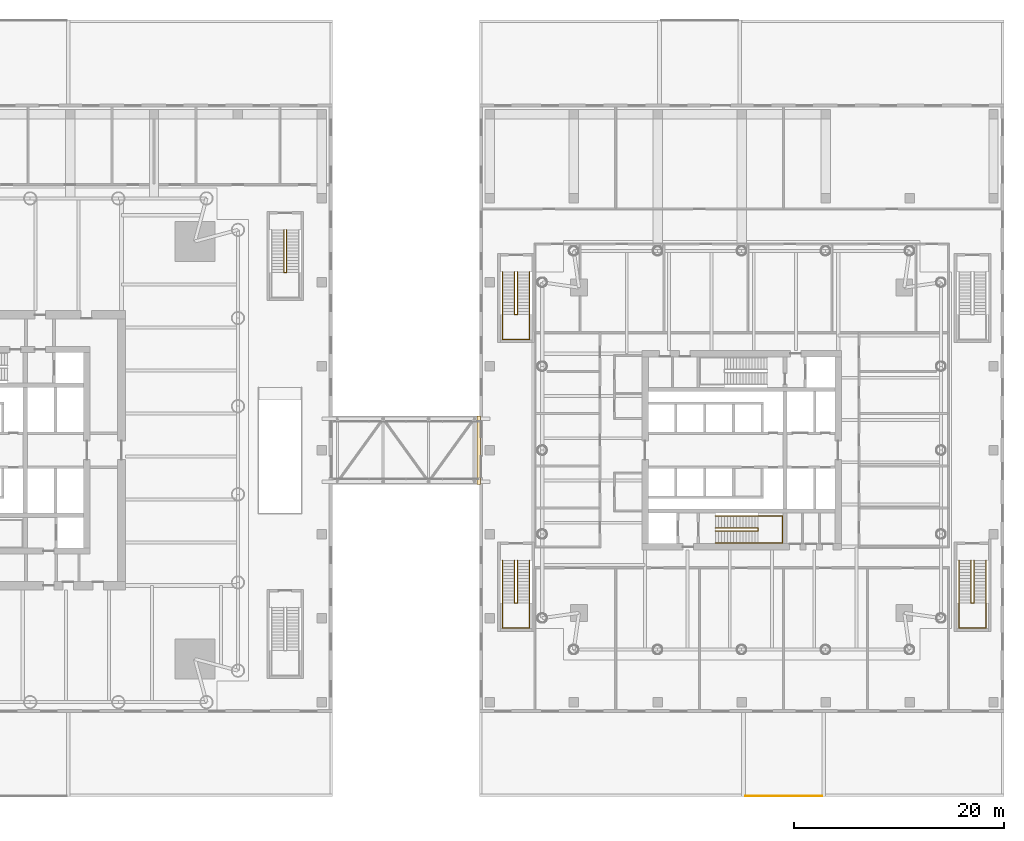
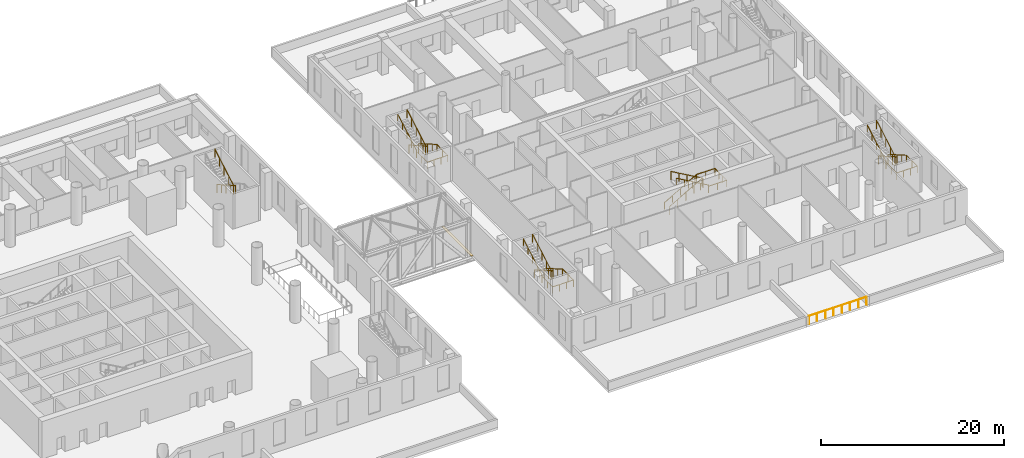
# One storey, part 22 of 23: 10 railings, 1 covering.
"""IFC4 building model written with IfcOpenShell, lengths in metres."""

from ifc_helpers import new_model, si_unit, direction, frame, origin, origin_2d, place, context, subcontext, project, spatial, polyline, circle, outline, extrude, material, layer, layer_set, type_object, element, save


model = new_model("IFC4")

# Units and contexts
model_context = context("Model", 3, precision=1e-05, world=origin(), true_north=direction((0.0, 1.0)))
body_context = subcontext(model_context, "Body", "Model", "MODEL_VIEW")
ifc_project = project(units=[si_unit("LENGTHUNIT", "METRE"), si_unit("AREAUNIT", "SQUARE_METRE"), si_unit("VOLUMEUNIT", "CUBIC_METRE"), si_unit("PLANEANGLEUNIT", "RADIAN"), si_unit("MASSUNIT", "GRAM", prefix="KILO")], contexts=[model_context])

# Site, building, storey
site_placement = place(None, origin())
site = spatial("IfcSite", under=ifc_project, at=site_placement, CompositionType="ELEMENT")
building_placement = place(site_placement, origin())
building = spatial("IfcBuilding", under=site, at=building_placement, Name="Ostroluk Exchange", CompositionType="ELEMENT")
storey_placement = place(building_placement, frame((0.0, 0.0, 11.0)))
storey = spatial("IfcBuildingStorey", under=building, at=storey_placement, Name="L02", CompositionType="ELEMENT", Elevation=11.0)

# Railing
ifc_material_1 = material(Name="Stainless steel", Category="steel")
railing_type_1 = type_object("IfcRailingType", Name="Guard 1100 stainless steel", PredefinedType="GUARDRAIL", material=ifc_material_1)
railing_1_placement = place(storey_placement, frame((124.64794921875, 13.050048828125, 0.0)))
element("IfcRailing", 1, at=railing_1_placement, inside=storey, type_object=railing_type_1, Name="Terrace guard L02 1.1", PredefinedType="GUARDRAIL", context=body_context, shape_type="SweptSolid", body=[
    extrude(circle(Radius=0.02392578125, at=origin_2d()), frame((0.0, 0.0, 1.076171875), z_axis=(-1.0, 0.0, 0.0), x_axis=(0.0, -1.0, 0.0)), (0.0, 0.0, 1.0), 7.2958984375),
    extrude(circle(Radius=0.02099609375, at=origin_2d()), origin(), (0.0, 0.0, 1.0), 1.052001953125),
    extrude(circle(Radius=0.02099609375, at=origin_2d()), frame((-1.042236328125, 0.0, 0.0)), (0.0, 0.0, 1.0), 1.052001953125),
    extrude(circle(Radius=0.02099609375, at=origin_2d()), frame((-2.08447265625, 0.0, 0.0)), (0.0, 0.0, 1.0), 1.052001953125),
    extrude(circle(Radius=0.02099609375, at=origin_2d()), frame((-3.126708984375, 0.0, 0.0)), (0.0, 0.0, 1.0), 1.052001953125),
    extrude(circle(Radius=0.02099609375, at=origin_2d()), frame((-4.169189453125, 0.0, 0.0)), (0.0, 0.0, 1.0), 1.052001953125),
    extrude(circle(Radius=0.02099609375, at=origin_2d()), frame((-5.21142578125, 0.0, 0.0)), (0.0, 0.0, 1.0), 1.052001953125),
    extrude(circle(Radius=0.02099609375, at=origin_2d()), frame((-6.253662109375, 0.0, 0.0)), (0.0, 0.0, 1.0), 1.052001953125),
    extrude(circle(Radius=0.02099609375, at=origin_2d()), frame((-7.2958984375, 0.0, 0.0)), (0.0, 0.0, 1.0), 1.052001953125),
])

# Covering
ifc_material_2 = material(Name="Stainless steel", Category="steel")
ifc_layer = layer(ifc_material_2, 0.011962890625)
ifc_layer_set = layer_set([ifc_layer], Name="Movement joint cover plate 100")
covering_type = type_object("IfcCoveringType", Name="Movement joint cover plate 100", PredefinedType="FLOORING", material=ifc_layer_set)
covering_placement = place(storey_placement, frame((0.0, 0.0, -0.011962890625)))
element("IfcCovering", 2, at=covering_placement, inside=storey, type_object=covering_type, Name="Podium bridge movement joint cover", PredefinedType="FLOORING", context=body_context, shape_type="SweptSolid", body=[
    extrude(outline(polyline([(91.800048828125, 42.75), (92.10009765625, 42.75), (92.10009765625, 49.25), (91.800048828125, 49.25), (91.800048828125, 42.75)])), origin(), (0.0, 0.0, 1.0), 0.011962890625),
])

# Railings
ifc_material_3 = material(Name="Steel S355", Category="steel")
railing_type_2 = type_object("IfcRailingType", Name="Stair guard 1100", PredefinedType="GUARDRAIL", material=ifc_material_3)
railing_2_placement = place(storey_placement, frame((114.5, 38.580078125, 0.166748046875)))
element("IfcRailing", 3, at=railing_2_placement, inside=storey, type_object=railing_type_2, Name="Stair T2-S1 guard L02", PredefinedType="GUARDRAIL", context=body_context, shape_type="SweptSolid", body=[
    extrude(circle(Radius=0.02392578125, at=origin_2d()), frame((0.0, 0.0, 1.076171875), z_axis=(0.867024558463, 0.0, 0.498265406207), x_axis=(0.0, 1.0, 0.0)), (0.0, 0.0, 1.0), 4.682861328125),
    extrude(circle(Radius=0.02392578125, at=origin_2d()), frame((4.06005859375, 0.0, 3.4091796875), z_axis=(0.0, -1.0, 0.0), x_axis=(1.0, 0.0, 0.0)), (0.0, 0.0, 1.0), 0.260009765625),
    extrude(circle(Radius=0.02392578125, at=origin_2d()), frame((4.06005859375, -0.260009765625, 3.4091796875), z_axis=(0.0, 0.0, 1.0), x_axis=(1.0, 0.0, 0.0)), (0.0, 0.0, 1.0), 0.166748046875),
    extrude(circle(Radius=0.02392578125, at=origin_2d()), frame((4.06005859375, -0.260009765625, 3.576171875), z_axis=(-0.867024558463, 0.0, 0.498265406207), x_axis=(0.0, -1.0, 0.0)), (0.0, 0.0, 1.0), 4.682861328125),
    extrude(circle(Radius=0.02099609375, at=origin_2d()), origin(), (0.0, 0.0, 1.0), 1.052001953125),
    extrude(circle(Radius=0.02099609375, at=origin_2d()), frame((1.01513671875, 0.0, 0.583251953125)), (0.0, 0.0, 1.0), 1.052001953125),
    extrude(circle(Radius=0.02099609375, at=origin_2d()), frame((2.030029296875, 0.0, 1.16650390625)), (0.0, 0.0, 1.0), 1.052001953125),
    extrude(circle(Radius=0.02099609375, at=origin_2d()), frame((3.044921875, 0.0, 1.75)), (0.0, 0.0, 1.0), 1.052001953125),
    extrude(circle(Radius=0.02099609375, at=origin_2d()), frame((4.06005859375, 0.0, 2.333251953125)), (0.0, 0.0, 1.0), 1.052001953125),
    extrude(circle(Radius=0.02099609375, at=origin_2d()), frame((4.06005859375, -0.260009765625, 2.333251953125)), (0.0, 0.0, 1.0), 1.052001953125),
    extrude(circle(Radius=0.02099609375, at=origin_2d()), frame((4.06005859375, -0.260009765625, 2.5)), (0.0, 0.0, 1.0), 1.052001953125),
    extrude(circle(Radius=0.02099609375, at=origin_2d()), frame((3.044921875, -0.260009765625, 3.083251953125)), (0.0, 0.0, 1.0), 1.052001953125),
    extrude(circle(Radius=0.02099609375, at=origin_2d()), frame((2.030029296875, -0.260009765625, 3.66650390625)), (0.0, 0.0, 1.0), 1.052001953125),
    extrude(circle(Radius=0.02099609375, at=origin_2d()), frame((1.01513671875, -0.260009765625, 4.25)), (0.0, 0.0, 1.0), 1.052001953125),
    extrude(circle(Radius=0.02099609375, at=origin_2d()), frame((0.0, -0.260009765625, 4.833251953125)), (0.0, 0.0, 1.0), 1.052001953125),
])
railing_3_placement = place(storey_placement, frame((73.6298828125, 67.0, 0.166748046875)))
element("IfcRailing", 4, at=railing_3_placement, inside=storey, type_object=railing_type_2, Name="Stair PS4 guard L02", PredefinedType="GUARDRAIL", context=body_context, shape_type="SweptSolid", body=[
    extrude(circle(Radius=0.02392578125, at=origin_2d()), frame((0.0, 0.0, 1.076171875), z_axis=(0.0, -0.867024558463, 0.498265406207), x_axis=(1.0, 0.0, 0.0)), (0.0, 0.0, 1.0), 4.682861328125),
    extrude(circle(Radius=0.02392578125, at=origin_2d()), frame((0.0, -4.06005859375, 3.4091796875), z_axis=(-1.0, 0.0, 0.0), x_axis=(0.0, -1.0, 0.0)), (0.0, 0.0, 1.0), 0.259765625),
    extrude(circle(Radius=0.02392578125, at=origin_2d()), frame((-0.259765625, -4.06005859375, 3.4091796875), z_axis=(0.0, 0.0, 1.0), x_axis=(1.0, 0.0, 0.0)), (0.0, 0.0, 1.0), 0.166748046875),
    extrude(circle(Radius=0.02392578125, at=origin_2d()), frame((-0.259765625, -4.06005859375, 3.576171875), z_axis=(0.0, 0.867024558463, 0.498265406207), x_axis=(-1.0, 0.0, 0.0)), (0.0, 0.0, 1.0), 4.682861328125),
    extrude(circle(Radius=0.02099609375, at=origin_2d()), origin(), (0.0, 0.0, 1.0), 1.052001953125),
    extrude(circle(Radius=0.02099609375, at=origin_2d()), frame((0.0, -1.01513671875, 0.583251953125)), (0.0, 0.0, 1.0), 1.052001953125),
    extrude(circle(Radius=0.02099609375, at=origin_2d()), frame((0.0, -2.030029296875, 1.16650390625)), (0.0, 0.0, 1.0), 1.052001953125),
    extrude(circle(Radius=0.02099609375, at=origin_2d()), frame((0.0, -3.044921875, 1.75)), (0.0, 0.0, 1.0), 1.052001953125),
    extrude(circle(Radius=0.02099609375, at=origin_2d()), frame((0.0, -4.06005859375, 2.333251953125)), (0.0, 0.0, 1.0), 1.052001953125),
    extrude(circle(Radius=0.02099609375, at=origin_2d()), frame((-0.259765625, -4.06005859375, 2.333251953125)), (0.0, 0.0, 1.0), 1.052001953125),
    extrude(circle(Radius=0.02099609375, at=origin_2d()), frame((-0.259765625, -4.06005859375, 2.5)), (0.0, 0.0, 1.0), 1.052001953125),
    extrude(circle(Radius=0.02099609375, at=origin_2d()), frame((-0.259765625, -3.044921875, 3.083251953125)), (0.0, 0.0, 1.0), 1.052001953125),
    extrude(circle(Radius=0.02099609375, at=origin_2d()), frame((-0.259765625, -2.030029296875, 3.66650390625)), (0.0, 0.0, 1.0), 1.052001953125),
    extrude(circle(Radius=0.02099609375, at=origin_2d()), frame((-0.259765625, -1.01513671875, 4.25)), (0.0, 0.0, 1.0), 1.052001953125),
    extrude(circle(Radius=0.02099609375, at=origin_2d()), frame((-0.259765625, 0.0, 4.833251953125)), (0.0, 0.0, 1.0), 1.052001953125),
])
railing_4_placement = place(storey_placement, frame((95.6298828125, 35.5, 0.166748046875)))
element("IfcRailing", 5, at=railing_4_placement, inside=storey, type_object=railing_type_2, Name="Stair PS5 guard L02", PredefinedType="GUARDRAIL", context=body_context, shape_type="SweptSolid", body=[
    extrude(circle(Radius=0.02392578125, at=origin_2d()), frame((0.0, 0.0, 1.076171875), z_axis=(0.0, -0.867024558463, 0.498265406207), x_axis=(1.0, 0.0, 0.0)), (0.0, 0.0, 1.0), 4.682861328125),
    extrude(circle(Radius=0.02392578125, at=origin_2d()), frame((0.0, -4.06005859375, 3.4091796875), z_axis=(-1.0, 0.0, 0.0), x_axis=(0.0, -1.0, 0.0)), (0.0, 0.0, 1.0), 0.259765625),
    extrude(circle(Radius=0.02392578125, at=origin_2d()), frame((-0.259765625, -4.06005859375, 3.4091796875), z_axis=(0.0, 0.0, 1.0), x_axis=(1.0, 0.0, 0.0)), (0.0, 0.0, 1.0), 0.166748046875),
    extrude(circle(Radius=0.02392578125, at=origin_2d()), frame((-0.259765625, -4.06005859375, 3.576171875), z_axis=(0.0, 0.867024558463, 0.498265406207), x_axis=(-1.0, 0.0, 0.0)), (0.0, 0.0, 1.0), 4.682861328125),
    extrude(circle(Radius=0.02099609375, at=origin_2d()), origin(), (0.0, 0.0, 1.0), 1.052001953125),
    extrude(circle(Radius=0.02099609375, at=origin_2d()), frame((0.0, -1.01513671875, 0.583251953125)), (0.0, 0.0, 1.0), 1.052001953125),
    extrude(circle(Radius=0.02099609375, at=origin_2d()), frame((0.0, -2.030029296875, 1.16650390625)), (0.0, 0.0, 1.0), 1.052001953125),
    extrude(circle(Radius=0.02099609375, at=origin_2d()), frame((0.0, -3.044921875, 1.75)), (0.0, 0.0, 1.0), 1.052001953125),
    extrude(circle(Radius=0.02099609375, at=origin_2d()), frame((0.0, -4.06005859375, 2.333251953125)), (0.0, 0.0, 1.0), 1.052001953125),
    extrude(circle(Radius=0.02099609375, at=origin_2d()), frame((-0.259765625, -4.06005859375, 2.333251953125)), (0.0, 0.0, 1.0), 1.052001953125),
    extrude(circle(Radius=0.02099609375, at=origin_2d()), frame((-0.259765625, -4.06005859375, 2.5)), (0.0, 0.0, 1.0), 1.052001953125),
    extrude(circle(Radius=0.02099609375, at=origin_2d()), frame((-0.259765625, -3.044921875, 3.083251953125)), (0.0, 0.0, 1.0), 1.052001953125),
    extrude(circle(Radius=0.02099609375, at=origin_2d()), frame((-0.259765625, -2.030029296875, 3.66650390625)), (0.0, 0.0, 1.0), 1.052001953125),
    extrude(circle(Radius=0.02099609375, at=origin_2d()), frame((-0.259765625, -1.01513671875, 4.25)), (0.0, 0.0, 1.0), 1.052001953125),
    extrude(circle(Radius=0.02099609375, at=origin_2d()), frame((-0.259765625, 0.0, 4.833251953125)), (0.0, 0.0, 1.0), 1.052001953125),
])
railing_5_placement = place(storey_placement, frame((95.6298828125, 63.0, 0.166748046875)))
element("IfcRailing", 6, at=railing_5_placement, inside=storey, type_object=railing_type_2, Name="Stair PS6 guard L02", PredefinedType="GUARDRAIL", context=body_context, shape_type="SweptSolid", body=[
    extrude(circle(Radius=0.02392578125, at=origin_2d()), frame((0.0, 0.0, 1.076171875), z_axis=(0.0, -0.867024558463, 0.498265406207), x_axis=(1.0, 0.0, 0.0)), (0.0, 0.0, 1.0), 4.682861328125),
    extrude(circle(Radius=0.02392578125, at=origin_2d()), frame((0.0, -4.06005859375, 3.4091796875), z_axis=(-1.0, 0.0, 0.0), x_axis=(0.0, -1.0, 0.0)), (0.0, 0.0, 1.0), 0.259765625),
    extrude(circle(Radius=0.02392578125, at=origin_2d()), frame((-0.259765625, -4.06005859375, 3.4091796875), z_axis=(0.0, 0.0, 1.0), x_axis=(1.0, 0.0, 0.0)), (0.0, 0.0, 1.0), 0.166748046875),
    extrude(circle(Radius=0.02392578125, at=origin_2d()), frame((-0.259765625, -4.06005859375, 3.576171875), z_axis=(0.0, 0.867024558463, 0.498265406207), x_axis=(-1.0, 0.0, 0.0)), (0.0, 0.0, 1.0), 4.682861328125),
    extrude(circle(Radius=0.02099609375, at=origin_2d()), origin(), (0.0, 0.0, 1.0), 1.052001953125),
    extrude(circle(Radius=0.02099609375, at=origin_2d()), frame((0.0, -1.01513671875, 0.583251953125)), (0.0, 0.0, 1.0), 1.052001953125),
    extrude(circle(Radius=0.02099609375, at=origin_2d()), frame((0.0, -2.030029296875, 1.16650390625)), (0.0, 0.0, 1.0), 1.052001953125),
    extrude(circle(Radius=0.02099609375, at=origin_2d()), frame((0.0, -3.044921875, 1.75)), (0.0, 0.0, 1.0), 1.052001953125),
    extrude(circle(Radius=0.02099609375, at=origin_2d()), frame((0.0, -4.06005859375, 2.333251953125)), (0.0, 0.0, 1.0), 1.052001953125),
    extrude(circle(Radius=0.02099609375, at=origin_2d()), frame((-0.259765625, -4.06005859375, 2.333251953125)), (0.0, 0.0, 1.0), 1.052001953125),
    extrude(circle(Radius=0.02099609375, at=origin_2d()), frame((-0.259765625, -4.06005859375, 2.5)), (0.0, 0.0, 1.0), 1.052001953125),
    extrude(circle(Radius=0.02099609375, at=origin_2d()), frame((-0.259765625, -3.044921875, 3.083251953125)), (0.0, 0.0, 1.0), 1.052001953125),
    extrude(circle(Radius=0.02099609375, at=origin_2d()), frame((-0.259765625, -2.030029296875, 3.66650390625)), (0.0, 0.0, 1.0), 1.052001953125),
    extrude(circle(Radius=0.02099609375, at=origin_2d()), frame((-0.259765625, -1.01513671875, 4.25)), (0.0, 0.0, 1.0), 1.052001953125),
    extrude(circle(Radius=0.02099609375, at=origin_2d()), frame((-0.259765625, 0.0, 4.833251953125)), (0.0, 0.0, 1.0), 1.052001953125),
])
railing_6_placement = place(storey_placement, frame((139.1298828125, 35.5, 0.166748046875)))
element("IfcRailing", 7, at=railing_6_placement, inside=storey, type_object=railing_type_2, Name="Stair PS7 guard L02", PredefinedType="GUARDRAIL", context=body_context, shape_type="SweptSolid", body=[
    extrude(circle(Radius=0.02392578125, at=origin_2d()), frame((0.0, 0.0, 1.076171875), z_axis=(0.0, -0.867024558463, 0.498265406207), x_axis=(1.0, 0.0, 0.0)), (0.0, 0.0, 1.0), 4.682861328125),
    extrude(circle(Radius=0.02392578125, at=origin_2d()), frame((0.0, -4.06005859375, 3.4091796875), z_axis=(-1.0, 0.0, 0.0), x_axis=(0.0, -1.0, 0.0)), (0.0, 0.0, 1.0), 0.259765625),
    extrude(circle(Radius=0.02392578125, at=origin_2d()), frame((-0.259765625, -4.06005859375, 3.4091796875), z_axis=(0.0, 0.0, 1.0), x_axis=(1.0, 0.0, 0.0)), (0.0, 0.0, 1.0), 0.166748046875),
    extrude(circle(Radius=0.02392578125, at=origin_2d()), frame((-0.259765625, -4.06005859375, 3.576171875), z_axis=(0.0, 0.867024558463, 0.498265406207), x_axis=(-1.0, 0.0, 0.0)), (0.0, 0.0, 1.0), 4.682861328125),
    extrude(circle(Radius=0.02099609375, at=origin_2d()), origin(), (0.0, 0.0, 1.0), 1.052001953125),
    extrude(circle(Radius=0.02099609375, at=origin_2d()), frame((0.0, -1.01513671875, 0.583251953125)), (0.0, 0.0, 1.0), 1.052001953125),
    extrude(circle(Radius=0.02099609375, at=origin_2d()), frame((0.0, -2.030029296875, 1.16650390625)), (0.0, 0.0, 1.0), 1.052001953125),
    extrude(circle(Radius=0.02099609375, at=origin_2d()), frame((0.0, -3.044921875, 1.75)), (0.0, 0.0, 1.0), 1.052001953125),
    extrude(circle(Radius=0.02099609375, at=origin_2d()), frame((0.0, -4.06005859375, 2.333251953125)), (0.0, 0.0, 1.0), 1.052001953125),
    extrude(circle(Radius=0.02099609375, at=origin_2d()), frame((-0.259765625, -4.06005859375, 2.333251953125)), (0.0, 0.0, 1.0), 1.052001953125),
    extrude(circle(Radius=0.02099609375, at=origin_2d()), frame((-0.259765625, -4.06005859375, 2.5)), (0.0, 0.0, 1.0), 1.052001953125),
    extrude(circle(Radius=0.02099609375, at=origin_2d()), frame((-0.259765625, -3.044921875, 3.083251953125)), (0.0, 0.0, 1.0), 1.052001953125),
    extrude(circle(Radius=0.02099609375, at=origin_2d()), frame((-0.259765625, -2.030029296875, 3.66650390625)), (0.0, 0.0, 1.0), 1.052001953125),
    extrude(circle(Radius=0.02099609375, at=origin_2d()), frame((-0.259765625, -1.01513671875, 4.25)), (0.0, 0.0, 1.0), 1.052001953125),
    extrude(circle(Radius=0.02099609375, at=origin_2d()), frame((-0.259765625, 0.0, 4.833251953125)), (0.0, 0.0, 1.0), 1.052001953125),
])
ifc_material_4 = material(Name="Stainless steel", Category="steel")
railing_type_3 = type_object("IfcRailingType", Name="Stair handrail 900", PredefinedType="HANDRAIL", material=ifc_material_4)
railing_7_placement = place(storey_placement, frame((114.5, 39.75, 0.166748046875)))
element("IfcRailing", 8, at=railing_7_placement, inside=storey, type_object=railing_type_3, Name="Stair T2-S1 handrail L02", PredefinedType="HANDRAIL", context=body_context, shape_type="SweptSolid", body=[
    extrude(circle(Radius=0.02392578125, at=origin_2d()), frame((0.0, 0.0, 0.8759765625), z_axis=(0.867024558463, 0.0, 0.498265406207), x_axis=(0.0, 1.0, 0.0)), (0.0, 0.0, 1.0), 4.682861328125),
    extrude(circle(Radius=0.02392578125, at=origin_2d()), frame((4.06005859375, 0.0, 3.208984375), z_axis=(1.0, 0.0, 0.0), x_axis=(0.0, 1.0, 0.0)), (0.0, 0.0, 1.0), 2.31982421875),
    extrude(circle(Radius=0.02392578125, at=origin_2d()), frame((6.3798828125, 0.0, 3.208984375), z_axis=(0.0, -1.0, 0.0), x_axis=(1.0, 0.0, 0.0)), (0.0, 0.0, 1.0), 2.60009765625),
    extrude(circle(Radius=0.02392578125, at=origin_2d()), frame((6.3798828125, -2.60009765625, 3.208984375), z_axis=(-1.0, 0.0, 0.0), x_axis=(0.0, -1.0, 0.0)), (0.0, 0.0, 1.0), 2.31982421875),
    extrude(circle(Radius=0.02392578125, at=origin_2d()), frame((4.06005859375, -2.60009765625, 3.208984375), z_axis=(0.0, 0.0, 1.0), x_axis=(1.0, 0.0, 0.0)), (0.0, 0.0, 1.0), 0.166748046875),
    extrude(circle(Radius=0.02392578125, at=origin_2d()), frame((4.06005859375, -2.60009765625, 3.3759765625), z_axis=(-0.867024558463, 0.0, 0.498265406207), x_axis=(0.0, -1.0, 0.0)), (0.0, 0.0, 1.0), 4.682861328125),
    extrude(circle(Radius=0.02099609375, at=origin_2d()), origin(), (0.0, 0.0, 1.0), 0.851806640625),
    extrude(circle(Radius=0.02099609375, at=origin_2d()), frame((1.01513671875, 0.0, 0.583251953125)), (0.0, 0.0, 1.0), 0.851806640625),
    extrude(circle(Radius=0.02099609375, at=origin_2d()), frame((2.030029296875, 0.0, 1.16650390625)), (0.0, 0.0, 1.0), 0.851806640625),
    extrude(circle(Radius=0.02099609375, at=origin_2d()), frame((3.044921875, 0.0, 1.75)), (0.0, 0.0, 1.0), 0.851806640625),
    extrude(circle(Radius=0.02099609375, at=origin_2d()), frame((4.06005859375, 0.0, 2.333251953125)), (0.0, 0.0, 1.0), 0.851806640625),
    extrude(circle(Radius=0.02099609375, at=origin_2d()), frame((5.219970703125, 0.0, 2.333251953125)), (0.0, 0.0, 1.0), 0.851806640625),
    extrude(circle(Radius=0.02099609375, at=origin_2d()), frame((6.3798828125, 0.0, 2.333251953125)), (0.0, 0.0, 1.0), 0.851806640625),
    extrude(circle(Radius=0.02099609375, at=origin_2d()), frame((6.3798828125, -0.86669921875, 2.333251953125)), (0.0, 0.0, 1.0), 0.851806640625),
    extrude(circle(Radius=0.02099609375, at=origin_2d()), frame((6.3798828125, -1.7333984375, 2.333251953125)), (0.0, 0.0, 1.0), 0.851806640625),
    extrude(circle(Radius=0.02099609375, at=origin_2d()), frame((6.3798828125, -2.60009765625, 2.333251953125)), (0.0, 0.0, 1.0), 0.851806640625),
    extrude(circle(Radius=0.02099609375, at=origin_2d()), frame((5.219970703125, -2.60009765625, 2.333251953125)), (0.0, 0.0, 1.0), 0.851806640625),
    extrude(circle(Radius=0.02099609375, at=origin_2d()), frame((4.06005859375, -2.60009765625, 2.333251953125)), (0.0, 0.0, 1.0), 0.851806640625),
    extrude(circle(Radius=0.02099609375, at=origin_2d()), frame((4.06005859375, -2.60009765625, 2.5)), (0.0, 0.0, 1.0), 0.851806640625),
    extrude(circle(Radius=0.02099609375, at=origin_2d()), frame((3.044921875, -2.60009765625, 3.083251953125)), (0.0, 0.0, 1.0), 0.851806640625),
    extrude(circle(Radius=0.02099609375, at=origin_2d()), frame((2.030029296875, -2.60009765625, 3.66650390625)), (0.0, 0.0, 1.0), 0.851806640625),
    extrude(circle(Radius=0.02099609375, at=origin_2d()), frame((1.01513671875, -2.60009765625, 4.25)), (0.0, 0.0, 1.0), 0.851806640625),
    extrude(circle(Radius=0.02099609375, at=origin_2d()), frame((0.0, -2.60009765625, 4.833251953125)), (0.0, 0.0, 1.0), 0.851806640625),
])
railing_8_placement = place(storey_placement, frame((96.800048828125, 35.5, 0.166748046875)))
element("IfcRailing", 9, at=railing_8_placement, inside=storey, type_object=railing_type_3, Name="Stair PS5 handrail L02", PredefinedType="HANDRAIL", context=body_context, shape_type="SweptSolid", body=[
    extrude(circle(Radius=0.02392578125, at=origin_2d()), frame((0.0, 0.0, 0.8759765625), z_axis=(0.0, -0.867024558463, 0.498265406207), x_axis=(1.0, 0.0, 0.0)), (0.0, 0.0, 1.0), 4.682861328125),
    extrude(circle(Radius=0.02392578125, at=origin_2d()), frame((0.0, -4.06005859375, 3.208984375), z_axis=(0.0, -1.0, 0.0), x_axis=(1.0, 0.0, 0.0)), (0.0, 0.0, 1.0), 2.389892578125),
    extrude(circle(Radius=0.02392578125, at=origin_2d()), frame((0.0, -6.449951171875, 3.208984375), z_axis=(-1.0, 0.0, 0.0), x_axis=(0.0, -1.0, 0.0)), (0.0, 0.0, 1.0), 2.60009765625),
    extrude(circle(Radius=0.02392578125, at=origin_2d()), frame((-2.60009765625, -6.449951171875, 3.208984375), z_axis=(0.0, 1.0, 0.0), x_axis=(-1.0, 0.0, 0.0)), (0.0, 0.0, 1.0), 2.389892578125),
    extrude(circle(Radius=0.02392578125, at=origin_2d()), frame((-2.60009765625, -4.06005859375, 3.208984375), z_axis=(0.0, 0.0, 1.0), x_axis=(1.0, 0.0, 0.0)), (0.0, 0.0, 1.0), 0.166748046875),
    extrude(circle(Radius=0.02392578125, at=origin_2d()), frame((-2.60009765625, -4.06005859375, 3.3759765625), z_axis=(0.0, 0.867024558463, 0.498265406207), x_axis=(-1.0, 0.0, 0.0)), (0.0, 0.0, 1.0), 4.682861328125),
    extrude(circle(Radius=0.02099609375, at=origin_2d()), origin(), (0.0, 0.0, 1.0), 0.851806640625),
    extrude(circle(Radius=0.02099609375, at=origin_2d()), frame((0.0, -1.01513671875, 0.583251953125)), (0.0, 0.0, 1.0), 0.851806640625),
    extrude(circle(Radius=0.02099609375, at=origin_2d()), frame((0.0, -2.030029296875, 1.16650390625)), (0.0, 0.0, 1.0), 0.851806640625),
    extrude(circle(Radius=0.02099609375, at=origin_2d()), frame((0.0, -3.044921875, 1.75)), (0.0, 0.0, 1.0), 0.851806640625),
    extrude(circle(Radius=0.02099609375, at=origin_2d()), frame((0.0, -4.06005859375, 2.333251953125)), (0.0, 0.0, 1.0), 0.851806640625),
    extrude(circle(Radius=0.02099609375, at=origin_2d()), frame((0.0, -5.2548828125, 2.333251953125)), (0.0, 0.0, 1.0), 0.851806640625),
    extrude(circle(Radius=0.02099609375, at=origin_2d()), frame((0.0, -6.449951171875, 2.333251953125)), (0.0, 0.0, 1.0), 0.851806640625),
    extrude(circle(Radius=0.02099609375, at=origin_2d()), frame((-0.86669921875, -6.449951171875, 2.333251953125)), (0.0, 0.0, 1.0), 0.851806640625),
    extrude(circle(Radius=0.02099609375, at=origin_2d()), frame((-1.7333984375, -6.449951171875, 2.333251953125)), (0.0, 0.0, 1.0), 0.851806640625),
    extrude(circle(Radius=0.02099609375, at=origin_2d()), frame((-2.60009765625, -6.449951171875, 2.333251953125)), (0.0, 0.0, 1.0), 0.851806640625),
    extrude(circle(Radius=0.02099609375, at=origin_2d()), frame((-2.60009765625, -5.2548828125, 2.333251953125)), (0.0, 0.0, 1.0), 0.851806640625),
    extrude(circle(Radius=0.02099609375, at=origin_2d()), frame((-2.60009765625, -4.06005859375, 2.333251953125)), (0.0, 0.0, 1.0), 0.851806640625),
    extrude(circle(Radius=0.02099609375, at=origin_2d()), frame((-2.60009765625, -4.06005859375, 2.5)), (0.0, 0.0, 1.0), 0.851806640625),
    extrude(circle(Radius=0.02099609375, at=origin_2d()), frame((-2.60009765625, -3.044921875, 3.083251953125)), (0.0, 0.0, 1.0), 0.851806640625),
    extrude(circle(Radius=0.02099609375, at=origin_2d()), frame((-2.60009765625, -2.030029296875, 3.66650390625)), (0.0, 0.0, 1.0), 0.851806640625),
    extrude(circle(Radius=0.02099609375, at=origin_2d()), frame((-2.60009765625, -1.01513671875, 4.25)), (0.0, 0.0, 1.0), 0.851806640625),
    extrude(circle(Radius=0.02099609375, at=origin_2d()), frame((-2.60009765625, 0.0, 4.833251953125)), (0.0, 0.0, 1.0), 0.851806640625),
])
railing_9_placement = place(storey_placement, frame((96.800048828125, 63.0, 0.166748046875)))
element("IfcRailing", 10, at=railing_9_placement, inside=storey, type_object=railing_type_3, Name="Stair PS6 handrail L02", PredefinedType="HANDRAIL", context=body_context, shape_type="SweptSolid", body=[
    extrude(circle(Radius=0.02392578125, at=origin_2d()), frame((0.0, 0.0, 0.8759765625), z_axis=(0.0, -0.867024558463, 0.498265406207), x_axis=(1.0, 0.0, 0.0)), (0.0, 0.0, 1.0), 4.682861328125),
    extrude(circle(Radius=0.02392578125, at=origin_2d()), frame((0.0, -4.06005859375, 3.208984375), z_axis=(0.0, -1.0, 0.0), x_axis=(1.0, 0.0, 0.0)), (0.0, 0.0, 1.0), 2.389892578125),
    extrude(circle(Radius=0.02392578125, at=origin_2d()), frame((0.0, -6.449951171875, 3.208984375), z_axis=(-1.0, 0.0, 0.0), x_axis=(0.0, -1.0, 0.0)), (0.0, 0.0, 1.0), 2.60009765625),
    extrude(circle(Radius=0.02392578125, at=origin_2d()), frame((-2.60009765625, -6.449951171875, 3.208984375), z_axis=(0.0, 1.0, 0.0), x_axis=(-1.0, 0.0, 0.0)), (0.0, 0.0, 1.0), 2.389892578125),
    extrude(circle(Radius=0.02392578125, at=origin_2d()), frame((-2.60009765625, -4.06005859375, 3.208984375), z_axis=(0.0, 0.0, 1.0), x_axis=(1.0, 0.0, 0.0)), (0.0, 0.0, 1.0), 0.166748046875),
    extrude(circle(Radius=0.02392578125, at=origin_2d()), frame((-2.60009765625, -4.06005859375, 3.3759765625), z_axis=(0.0, 0.867024558463, 0.498265406207), x_axis=(-1.0, 0.0, 0.0)), (0.0, 0.0, 1.0), 4.682861328125),
    extrude(circle(Radius=0.02099609375, at=origin_2d()), origin(), (0.0, 0.0, 1.0), 0.851806640625),
    extrude(circle(Radius=0.02099609375, at=origin_2d()), frame((0.0, -1.01513671875, 0.583251953125)), (0.0, 0.0, 1.0), 0.851806640625),
    extrude(circle(Radius=0.02099609375, at=origin_2d()), frame((0.0, -2.030029296875, 1.16650390625)), (0.0, 0.0, 1.0), 0.851806640625),
    extrude(circle(Radius=0.02099609375, at=origin_2d()), frame((0.0, -3.044921875, 1.75)), (0.0, 0.0, 1.0), 0.851806640625),
    extrude(circle(Radius=0.02099609375, at=origin_2d()), frame((0.0, -4.06005859375, 2.333251953125)), (0.0, 0.0, 1.0), 0.851806640625),
    extrude(circle(Radius=0.02099609375, at=origin_2d()), frame((0.0, -5.2548828125, 2.333251953125)), (0.0, 0.0, 1.0), 0.851806640625),
    extrude(circle(Radius=0.02099609375, at=origin_2d()), frame((0.0, -6.449951171875, 2.333251953125)), (0.0, 0.0, 1.0), 0.851806640625),
    extrude(circle(Radius=0.02099609375, at=origin_2d()), frame((-0.86669921875, -6.449951171875, 2.333251953125)), (0.0, 0.0, 1.0), 0.851806640625),
    extrude(circle(Radius=0.02099609375, at=origin_2d()), frame((-1.7333984375, -6.449951171875, 2.333251953125)), (0.0, 0.0, 1.0), 0.851806640625),
    extrude(circle(Radius=0.02099609375, at=origin_2d()), frame((-2.60009765625, -6.449951171875, 2.333251953125)), (0.0, 0.0, 1.0), 0.851806640625),
    extrude(circle(Radius=0.02099609375, at=origin_2d()), frame((-2.60009765625, -5.2548828125, 2.333251953125)), (0.0, 0.0, 1.0), 0.851806640625),
    extrude(circle(Radius=0.02099609375, at=origin_2d()), frame((-2.60009765625, -4.06005859375, 2.333251953125)), (0.0, 0.0, 1.0), 0.851806640625),
    extrude(circle(Radius=0.02099609375, at=origin_2d()), frame((-2.60009765625, -4.06005859375, 2.5)), (0.0, 0.0, 1.0), 0.851806640625),
    extrude(circle(Radius=0.02099609375, at=origin_2d()), frame((-2.60009765625, -3.044921875, 3.083251953125)), (0.0, 0.0, 1.0), 0.851806640625),
    extrude(circle(Radius=0.02099609375, at=origin_2d()), frame((-2.60009765625, -2.030029296875, 3.66650390625)), (0.0, 0.0, 1.0), 0.851806640625),
    extrude(circle(Radius=0.02099609375, at=origin_2d()), frame((-2.60009765625, -1.01513671875, 4.25)), (0.0, 0.0, 1.0), 0.851806640625),
    extrude(circle(Radius=0.02099609375, at=origin_2d()), frame((-2.60009765625, 0.0, 4.833251953125)), (0.0, 0.0, 1.0), 0.851806640625),
])
railing_10_placement = place(storey_placement, frame((140.300048828125, 35.5, 0.166748046875)))
element("IfcRailing", 11, at=railing_10_placement, inside=storey, type_object=railing_type_3, Name="Stair PS7 handrail L02", PredefinedType="HANDRAIL", context=body_context, shape_type="SweptSolid", body=[
    extrude(circle(Radius=0.02392578125, at=origin_2d()), frame((0.0, 0.0, 0.8759765625), z_axis=(0.0, -0.867024558463, 0.498265406207), x_axis=(1.0, 0.0, 0.0)), (0.0, 0.0, 1.0), 4.682861328125),
    extrude(circle(Radius=0.02392578125, at=origin_2d()), frame((0.0, -4.06005859375, 3.208984375), z_axis=(0.0, -1.0, 0.0), x_axis=(1.0, 0.0, 0.0)), (0.0, 0.0, 1.0), 2.389892578125),
    extrude(circle(Radius=0.02392578125, at=origin_2d()), frame((0.0, -6.449951171875, 3.208984375), z_axis=(-1.0, 0.0, 0.0), x_axis=(0.0, -1.0, 0.0)), (0.0, 0.0, 1.0), 2.60009765625),
    extrude(circle(Radius=0.02392578125, at=origin_2d()), frame((-2.60009765625, -6.449951171875, 3.208984375), z_axis=(0.0, 1.0, 0.0), x_axis=(-1.0, 0.0, 0.0)), (0.0, 0.0, 1.0), 2.389892578125),
    extrude(circle(Radius=0.02392578125, at=origin_2d()), frame((-2.60009765625, -4.06005859375, 3.208984375), z_axis=(0.0, 0.0, 1.0), x_axis=(1.0, 0.0, 0.0)), (0.0, 0.0, 1.0), 0.166748046875),
    extrude(circle(Radius=0.02392578125, at=origin_2d()), frame((-2.60009765625, -4.06005859375, 3.3759765625), z_axis=(0.0, 0.867024558463, 0.498265406207), x_axis=(-1.0, 0.0, 0.0)), (0.0, 0.0, 1.0), 4.682861328125),
    extrude(circle(Radius=0.02099609375, at=origin_2d()), origin(), (0.0, 0.0, 1.0), 0.851806640625),
    extrude(circle(Radius=0.02099609375, at=origin_2d()), frame((0.0, -1.01513671875, 0.583251953125)), (0.0, 0.0, 1.0), 0.851806640625),
    extrude(circle(Radius=0.02099609375, at=origin_2d()), frame((0.0, -2.030029296875, 1.16650390625)), (0.0, 0.0, 1.0), 0.851806640625),
    extrude(circle(Radius=0.02099609375, at=origin_2d()), frame((0.0, -3.044921875, 1.75)), (0.0, 0.0, 1.0), 0.851806640625),
    extrude(circle(Radius=0.02099609375, at=origin_2d()), frame((0.0, -4.06005859375, 2.333251953125)), (0.0, 0.0, 1.0), 0.851806640625),
    extrude(circle(Radius=0.02099609375, at=origin_2d()), frame((0.0, -5.2548828125, 2.333251953125)), (0.0, 0.0, 1.0), 0.851806640625),
    extrude(circle(Radius=0.02099609375, at=origin_2d()), frame((0.0, -6.449951171875, 2.333251953125)), (0.0, 0.0, 1.0), 0.851806640625),
    extrude(circle(Radius=0.02099609375, at=origin_2d()), frame((-0.86669921875, -6.449951171875, 2.333251953125)), (0.0, 0.0, 1.0), 0.851806640625),
    extrude(circle(Radius=0.02099609375, at=origin_2d()), frame((-1.7333984375, -6.449951171875, 2.333251953125)), (0.0, 0.0, 1.0), 0.851806640625),
    extrude(circle(Radius=0.02099609375, at=origin_2d()), frame((-2.60009765625, -6.449951171875, 2.333251953125)), (0.0, 0.0, 1.0), 0.851806640625),
    extrude(circle(Radius=0.02099609375, at=origin_2d()), frame((-2.60009765625, -5.2548828125, 2.333251953125)), (0.0, 0.0, 1.0), 0.851806640625),
    extrude(circle(Radius=0.02099609375, at=origin_2d()), frame((-2.60009765625, -4.06005859375, 2.333251953125)), (0.0, 0.0, 1.0), 0.851806640625),
    extrude(circle(Radius=0.02099609375, at=origin_2d()), frame((-2.60009765625, -4.06005859375, 2.5)), (0.0, 0.0, 1.0), 0.851806640625),
    extrude(circle(Radius=0.02099609375, at=origin_2d()), frame((-2.60009765625, -3.044921875, 3.083251953125)), (0.0, 0.0, 1.0), 0.851806640625),
    extrude(circle(Radius=0.02099609375, at=origin_2d()), frame((-2.60009765625, -2.030029296875, 3.66650390625)), (0.0, 0.0, 1.0), 0.851806640625),
    extrude(circle(Radius=0.02099609375, at=origin_2d()), frame((-2.60009765625, -1.01513671875, 4.25)), (0.0, 0.0, 1.0), 0.851806640625),
    extrude(circle(Radius=0.02099609375, at=origin_2d()), frame((-2.60009765625, 0.0, 4.833251953125)), (0.0, 0.0, 1.0), 0.851806640625),
])

save(model, "model.ifc")
